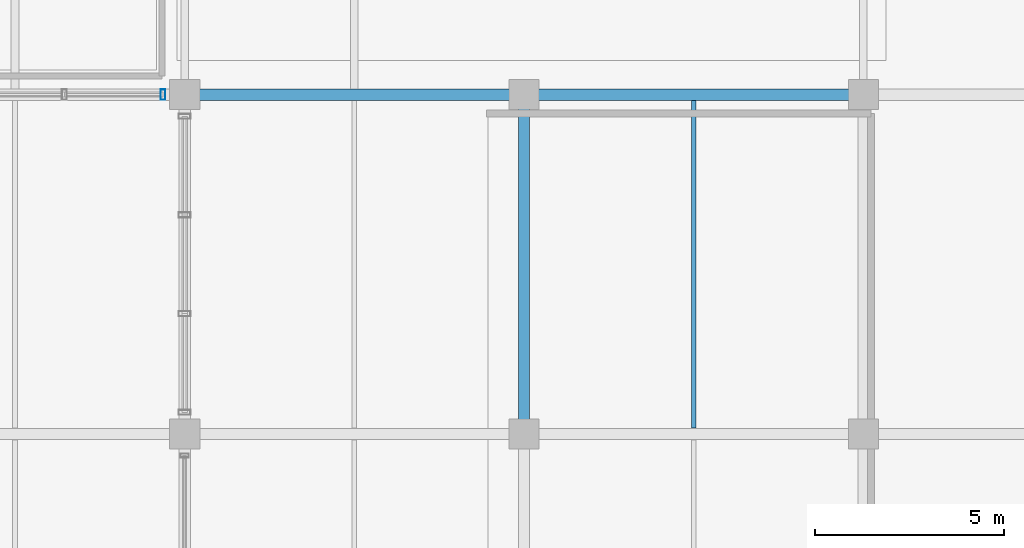
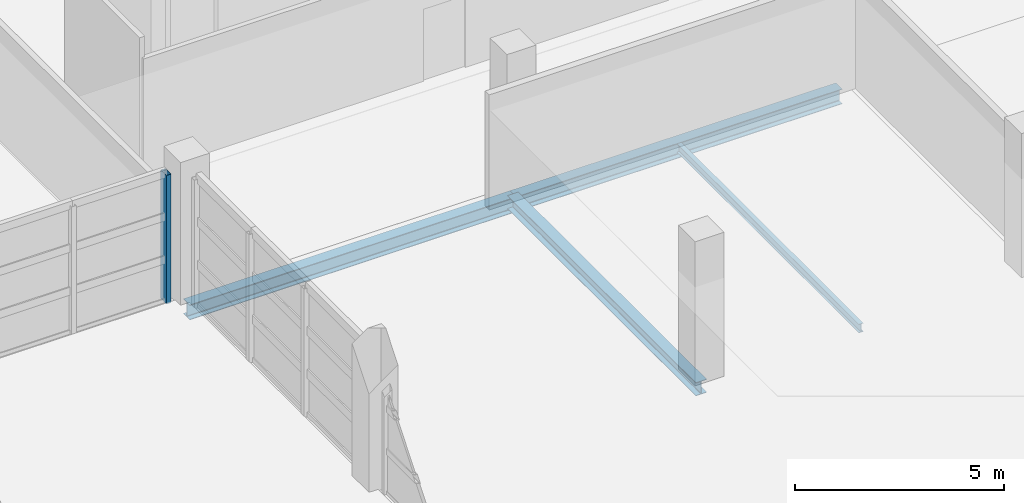
# One storey, part 88 of 136: 4 beams, 1 member, 1 element without a shape of its own.
"""IFC4 building model written with IfcOpenShell, lengths in metres."""

from ifc_helpers import new_model, si_unit, direction, frame, origin, origin_2d, place, context, subcontext, project, spatial, hollow_rectangle, i_section, extrude, material, material_profile, profile_set, type_object, element, aggregate, save


model = new_model("IFC4")

# Units and contexts
model_context = context("Model", 3, precision=1e-05, world=origin(), true_north=direction((0.0, 1.0)))
body_context = subcontext(model_context, "Body", "Model", "MODEL_VIEW")
ifc_project = project(units=[si_unit("LENGTHUNIT", "METRE"), si_unit("AREAUNIT", "SQUARE_METRE"), si_unit("VOLUMEUNIT", "CUBIC_METRE"), si_unit("PLANEANGLEUNIT", "RADIAN"), si_unit("MASSUNIT", "GRAM", prefix="KILO")], contexts=[model_context])

# Site, building, storey
site_placement = place(None, origin())
site = spatial("IfcSite", under=ifc_project, at=site_placement, CompositionType="ELEMENT")
building_placement = place(site_placement, origin())
building = spatial("IfcBuilding", under=site, at=building_placement, Name="Chuanluo Vaults Station", CompositionType="ELEMENT")
storey_placement = place(building_placement, frame((0.0, 0.0, 6.60009765625)))
storey = spatial("IfcBuildingStorey", under=building, at=storey_placement, Name="L01", CompositionType="ELEMENT", Elevation=6.60009765625)

# Beams
ifc_material_1 = material(Name="Steel Q355C", Category="steel")
ifc_material_profile_1 = material_profile(ifc_material_1, i_section(OverallWidth=0.300048828125, OverallDepth=0.389892578125, WebThickness=0.010009765625, FlangeThickness=0.01611328125, FilletRadius=0.02001953125, at=origin_2d()))
ifc_profile_set_1 = profile_set([ifc_material_profile_1], Name="Steel Q355C")
beam_type_1 = type_object("IfcBeamType", Name="BM-GRD-400", PredefinedType="BEAM", material=ifc_profile_set_1)
beam_1_placement = place(storey_placement, frame((154.0, 94.5, -0.43505859375), z_axis=(0.0, 1.0, 0.0), x_axis=(-1.0, 0.0, 0.0)))
element("IfcBeam", 1, at=beam_1_placement, inside=storey, type_object=beam_type_1, Name="Floor girder BM:GY:L01:0486", PredefinedType="BEAM", context=body_context, shape_type="SweptSolid", body=[
    extrude(i_section(OverallWidth=0.300048828125, OverallDepth=0.389892578125, WebThickness=0.010009765625, FlangeThickness=0.01611328125, FilletRadius=0.02001953125, at=origin_2d()), origin(), (0.0, 0.0, 1.0), 9.0),
])
ifc_material_2 = material(Name="Steel Q355C", Category="steel")
ifc_material_profile_2 = material_profile(ifc_material_2, i_section(OverallWidth=0.300048828125, OverallDepth=0.43994140625, WebThickness=0.010986328125, FlangeThickness=0.01806640625, FilletRadius=0.02001953125, at=origin_2d()))
ifc_profile_set_2 = profile_set([ifc_material_profile_2], Name="Steel Q355C")
beam_type_2 = type_object("IfcBeamType", Name="BM-GRD-450", PredefinedType="USERDEFINED", material=ifc_profile_set_2)
for number, where, z_axis, x_axis, name in (
    (2, (145.0, 103.5, -0.460205078125), (1.0, 0.0, 0.0), (0.0, 1.0, 0.0), "Floor girder BM:GX:L01:0372"),
    (3, (154.0, 103.5, -0.460205078125), (1.0, 0.0, 0.0), (0.0, 1.0, 0.0), "Floor girder BM:GX:L01:0373"),
):
    element("IfcBeam", number, at=place(storey_placement, frame(where, z_axis=z_axis, x_axis=x_axis)), inside=storey, type_object=beam_type_2, Name=name, ObjectType="GIRDER", PredefinedType="USERDEFINED", context=body_context, shape_type="SweptSolid", body=[
        extrude(i_section(OverallWidth=0.300048828125, OverallDepth=0.43994140625, WebThickness=0.010986328125, FlangeThickness=0.01806640625, FilletRadius=0.02001953125, at=origin_2d()), origin(), (0.0, 0.0, 1.0), 9.0),
    ])
ifc_material_3 = material(Name="Steel Q355C", Category="steel")
ifc_material_profile_3 = material_profile(ifc_material_3, i_section(OverallWidth=0.125, OverallDepth=0.25, WebThickness=0.006103515625, FlangeThickness=0.009033203125, FilletRadius=0.011962890625, at=origin_2d()))
ifc_profile_set_3 = profile_set([ifc_material_profile_3], Name="Steel Q355C")
beam_type_3 = type_object("IfcBeamType", Name="BM-SEC-250", PredefinedType="JOIST", material=ifc_profile_set_3)
beam_2_placement = place(storey_placement, frame((158.5, 94.655029296875, -0.364990234375), z_axis=(0.0, 1.0, 0.0), x_axis=(-1.0, 0.0, 0.0)))
element("IfcBeam", 4, at=beam_2_placement, inside=storey, type_object=beam_type_3, Name="Composite secondary joist 0174", PredefinedType="JOIST", context=body_context, shape_type="SweptSolid", body=[
    extrude(i_section(OverallWidth=0.125, OverallDepth=0.25, WebThickness=0.006103515625, FlangeThickness=0.009033203125, FilletRadius=0.011962890625, at=origin_2d()), origin(), (0.0, 0.0, 1.0), 8.68994140625),
])

# Curtain wall, member
ifc_material_4 = material(Name="Anodised aluminium 6063-T6", Category="aluminium")
curtain_wall_type = type_object("IfcCurtainWallType", Name="CW-SYS-14", PredefinedType="NOTDEFINED", material=ifc_material_4)
curtain_wall_placement = place(storey_placement, origin())
curtain_wall = element("IfcCurtainWall", 5, at=curtain_wall_placement, inside=storey, type_object=curtain_wall_type, Name="Operations L01 facade CW part 1", PredefinedType="NOTDEFINED")
ifc_material_5 = material(Name="Anodised aluminium 6063-T6", Category="aluminium")
ifc_material_profile_4 = material_profile(ifc_material_5, hollow_rectangle(XDim=0.1298828125, YDim=0.280029296875, WallThickness=0.007080078125, at=origin_2d()))
ifc_profile_set_4 = profile_set([ifc_material_profile_4], Name="Anodised aluminium 6063-T6")
member_type = type_object("IfcMemberType", Name="CWM-180", PredefinedType="MULLION", material=ifc_profile_set_4)
member_placement = place(storey_placement, frame((144.425048828125, 103.5, 0.0), z_axis=(0.0, 0.0, 1.0), x_axis=(-1.0, 0.0, 0.0)))
member = element("IfcMember", 6, at=member_placement, type_object=member_type, Name="Operations L01 facade CW part 1 mullion 1", PredefinedType="MULLION", context=body_context, shape_type="SweptSolid", body=[
    extrude(hollow_rectangle(XDim=0.1298828125, YDim=0.280029296875, WallThickness=0.007080078125, at=origin_2d()), origin(), (0.0, 0.0, 1.0), 3.75),
])
aggregate(curtain_wall, [member])

save(model, "model.ifc")
